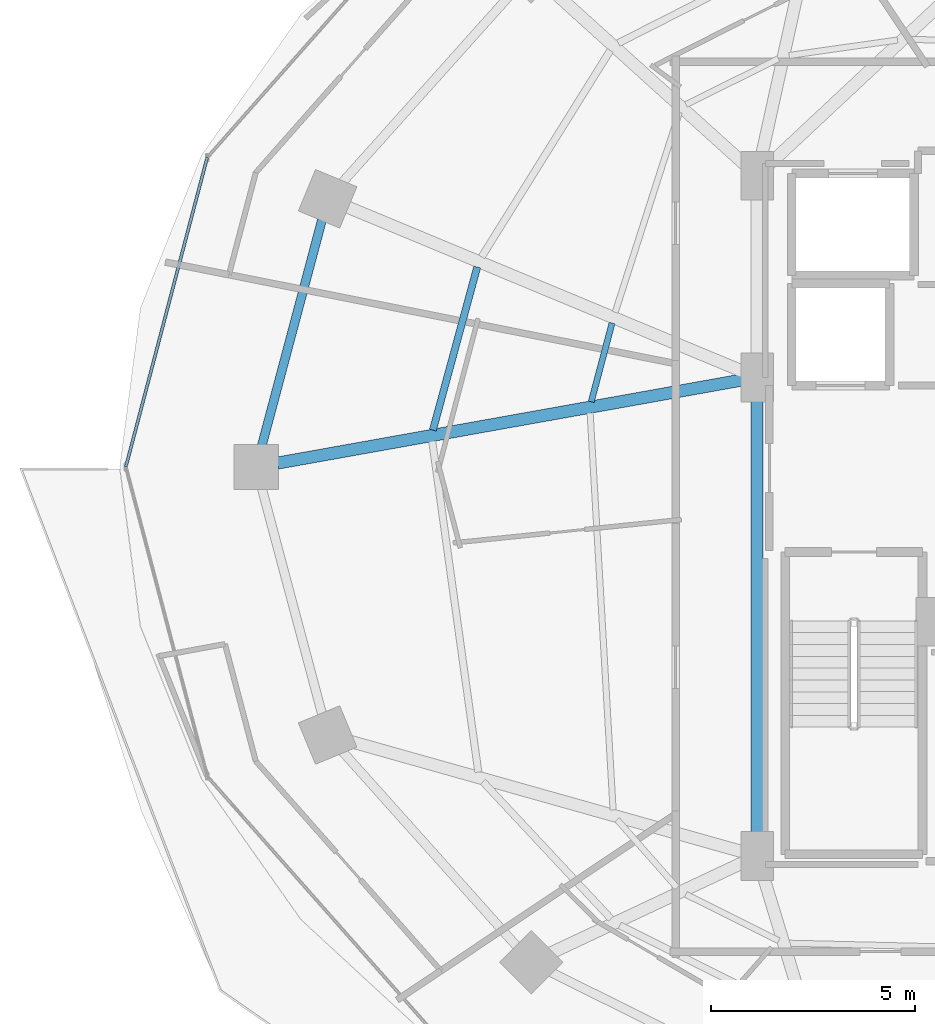
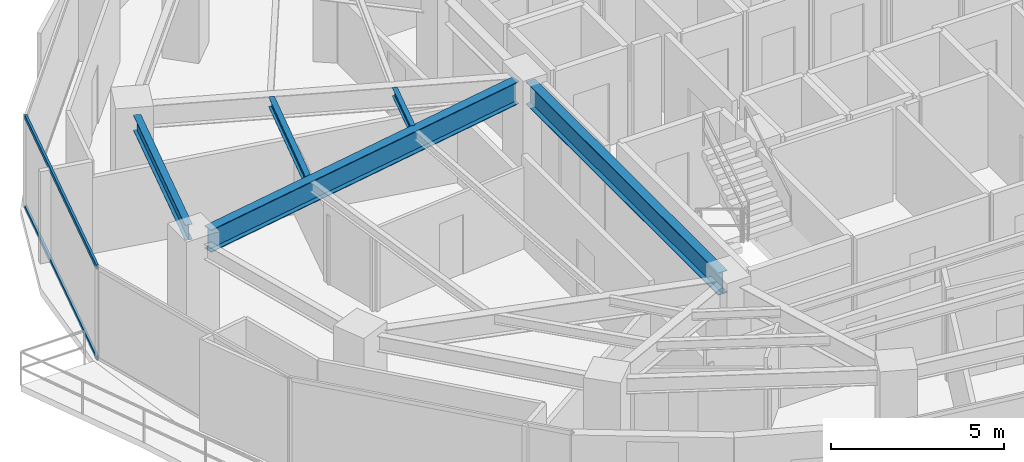
# One storey, part 8 of 29: 5 beams, 2 members, 1 element without a shape of its own.
"""IFC4 building model written with IfcOpenShell, lengths in metres."""

from ifc_helpers import new_model, si_unit, direction, frame, origin, origin_2d, place, context, subcontext, project, spatial, hollow_rectangle, i_section, extrude, material, material_profile, profile_set, type_object, element, aggregate, save


model = new_model("IFC4")

# Units and contexts
model_context = context("Model", 3, precision=1e-05, world=origin(), true_north=direction((0.0, 1.0)))
body_context = subcontext(model_context, "Body", "Model", "MODEL_VIEW")
ifc_project = project(units=[si_unit("LENGTHUNIT", "METRE"), si_unit("AREAUNIT", "SQUARE_METRE"), si_unit("VOLUMEUNIT", "CUBIC_METRE"), si_unit("PLANEANGLEUNIT", "RADIAN"), si_unit("MASSUNIT", "GRAM", prefix="KILO")], contexts=[model_context])

# Site, building, storey
site_placement = place(None, origin())
site = spatial("IfcSite", under=ifc_project, at=site_placement, CompositionType="ELEMENT")
building_placement = place(site_placement, origin())
building = spatial("IfcBuilding", under=site, at=building_placement, Name="Vorneva Point Tower", CompositionType="ELEMENT")
storey_placement = place(building_placement, frame((0.0, 0.0, 82.300048828125)))
storey = spatial("IfcBuildingStorey", under=building, at=storey_placement, Name="L21", CompositionType="ELEMENT", Elevation=82.300048828125)

# Beams
ifc_material_1 = material(Name="Steel S355", Category="steel")
ifc_material_profile_1 = material_profile(ifc_material_1, i_section(OverallWidth=0.300048828125, OverallDepth=0.7880859375, WebThickness=0.014404296875, FlangeThickness=0.02197265625, at=origin_2d()), Name="80Sh1")
ifc_profile_set_1 = profile_set([ifc_material_profile_1], Name="Steel S355")
beam_type_1 = type_object("IfcBeamType", Name="BM-GRD-80Sh1", PredefinedType="USERDEFINED", material=ifc_profile_set_1)
beam_1_placement = place(storey_placement, frame((15.4794921875, 26.0947265625, 2.845947265625), z_axis=(0.984378310682, 0.176066298476, 0.0), x_axis=(-0.176066298476, 0.984378310682, 0.0)))
element("IfcBeam", 1, at=beam_1_placement, inside=storey, type_object=beam_type_1, Name="L21 Radial Primary Girder 09", ObjectType="GIRDER", PredefinedType="USERDEFINED", context=body_context, shape_type="SweptSolid", body=[
    extrude(i_section(OverallWidth=0.300048828125, OverallDepth=0.7880859375, WebThickness=0.014404296875, FlangeThickness=0.02197265625, at=origin_2d()), origin(), (0.0, 0.0, 1.0), 11.6171875),
])
beam_2_placement = place(storey_placement, frame((27.25, 16.77001953125, 2.845947265625), z_axis=(0.0, 1.0, 0.0), x_axis=(-1.0, 0.0, 0.0)))
element("IfcBeam", 2, at=beam_2_placement, inside=storey, type_object=beam_type_1, Name="L21 Core Tie Girder CT1", ObjectType="GIRDER", PredefinedType="USERDEFINED", context=body_context, shape_type="SweptSolid", body=[
    extrude(i_section(OverallWidth=0.300048828125, OverallDepth=0.7880859375, WebThickness=0.014404296875, FlangeThickness=0.02197265625, at=origin_2d()), origin(), (0.0, 0.0, 1.0), 11.10986328125),
])
ifc_material_profile_2 = material_profile(ifc_material_1, i_section(OverallWidth=0.14892578125, OverallDepth=0.298095703125, WebThickness=0.005615234375, FlangeThickness=0.008056640625, at=origin_2d()), Name="30B1")
ifc_profile_set_2 = profile_set([ifc_material_profile_2], Name="Steel S355")
beam_type_2 = type_object("IfcBeamType", Name="BM-JST-30B1", PredefinedType="JOIST", material=ifc_profile_set_2)
beam_3_placement = place(storey_placement, frame((23.688232421875, 29.531982421875, 3.091064453125), z_axis=(-0.255724804331, -0.966749618283, 0.0), x_axis=(0.966749618283, -0.255724804331, 0.0)))
element("IfcBeam", 3, at=beam_3_placement, inside=storey, type_object=beam_type_2, Name="L21 Secondary Floor Beam 2.08", PredefinedType="JOIST", context=body_context, shape_type="SweptSolid", body=[
    extrude(i_section(OverallWidth=0.14892578125, OverallDepth=0.298095703125, WebThickness=0.005615234375, FlangeThickness=0.008056640625, at=origin_2d()), origin(), (0.0, 0.0, 1.0), 2.0),
])
ifc_material_profile_3 = material_profile(ifc_material_1, i_section(OverallWidth=0.174072265625, OverallDepth=0.345947265625, WebThickness=0.006103515625, FlangeThickness=0.009033203125, at=origin_2d()), Name="35B1")
ifc_profile_set_3 = profile_set([ifc_material_profile_3], Name="Steel S355")
beam_type_3 = type_object("IfcBeamType", Name="BM-SEC-35B1", PredefinedType="BEAM", material=ifc_profile_set_3)
beam_4_placement = place(storey_placement, frame((20.377685546875, 30.90771484375, 3.06689453125), z_axis=(-0.262196401448, -0.96501453205, 0.0), x_axis=(0.96501453205, -0.262196401448, 0.0)))
element("IfcBeam", 4, at=beam_4_placement, inside=storey, type_object=beam_type_3, Name="L21 Secondary Floor Beam 1.08", PredefinedType="BEAM", context=body_context, shape_type="SweptSolid", body=[
    extrude(i_section(OverallWidth=0.174072265625, OverallDepth=0.345947265625, WebThickness=0.006103515625, FlangeThickness=0.009033203125, at=origin_2d()), origin(), (0.0, 0.0, 1.0), 4.150146484375),
])
ifc_material_profile_4 = material_profile(ifc_material_1, i_section(OverallWidth=0.219970703125, OverallDepth=0.54296875, WebThickness=0.009521484375, FlangeThickness=0.013427734375, at=origin_2d()), Name="55B1")
ifc_profile_set_4 = profile_set([ifc_material_profile_4], Name="Steel S355")
beam_type_4 = type_object("IfcBeamType", Name="BM-SPN-55B1", PredefinedType="SPANDREL", material=ifc_profile_set_4)
beam_5_placement = place(storey_placement, frame((16.56689453125, 32.065185546875, 2.968505859375), z_axis=(-0.257572674071, -0.966258928845, 0.0), x_axis=(0.966258928845, -0.257572674071, 0.0)))
element("IfcBeam", 5, at=beam_5_placement, inside=storey, type_object=beam_type_4, Name="L21 Perimeter Spandrel Ring Beam 08", PredefinedType="SPANDREL", context=body_context, shape_type="SweptSolid", body=[
    extrude(i_section(OverallWidth=0.219970703125, OverallDepth=0.54296875, WebThickness=0.009521484375, FlangeThickness=0.013427734375, at=origin_2d()), origin(), (0.0, 0.0, 1.0), 5.7421875),
])

# Curtain wall, members
ifc_material_2 = material(Name="Pale anodised aluminium", Category="aluminium")
curtain_wall_type = type_object("IfcCurtainWallType", Name="CW-HTL-SYS", PredefinedType="NOTDEFINED", material=ifc_material_2)
curtain_wall_placement = place(storey_placement, origin())
curtain_wall = element("IfcCurtainWall", 6, at=curtain_wall_placement, inside=storey, type_object=curtain_wall_type, Name="L21 Unitised Curtain Wall CW-L21-R02", PredefinedType="NOTDEFINED")
ifc_material_profile_5 = material_profile(ifc_material_2, hollow_rectangle(XDim=0.074951171875, YDim=0.14990234375, WallThickness=0.00390625, at=origin_2d()), Name="AL-TRN 150x75x4")
ifc_profile_set_5 = profile_set([ifc_material_profile_5], Name="Pale anodised aluminium")
member_type = type_object("IfcMemberType", Name="CW-TRN-150", PredefinedType="USERDEFINED", material=ifc_profile_set_5)
member_1_placement = place(storey_placement, frame((13.748291015625, 33.59619140625, 0.02001953125), z_axis=(-0.254409150465, -0.967096677773, 0.0), x_axis=(0.967096677773, -0.254409150465, 0.0)))
member_1 = element("IfcMember", 7, at=member_1_placement, type_object=member_type, Name="CW-L21-R02 Transom 02.1", ObjectType="TRANSOM", PredefinedType="USERDEFINED", context=body_context, shape_type="SweptSolid", body=[
    extrude(hollow_rectangle(XDim=0.074951171875, YDim=0.14990234375, WallThickness=0.00390625, at=origin_2d()), origin(), (0.0, 0.0, 1.0), 7.854736328125),
])
member_2_placement = place(storey_placement, frame((13.748291015625, 33.59619140625, 3.219970703125), z_axis=(-0.254409150465, -0.967096677773, 0.0), x_axis=(0.967096677773, -0.254409150465, 0.0)))
member_2 = element("IfcMember", 8, at=member_2_placement, type_object=member_type, Name="CW-L21-R02 Transom 02.2", ObjectType="TRANSOM", PredefinedType="USERDEFINED", context=body_context, shape_type="SweptSolid", body=[
    extrude(hollow_rectangle(XDim=0.074951171875, YDim=0.14990234375, WallThickness=0.00390625, at=origin_2d()), origin(), (0.0, 0.0, 1.0), 7.854736328125),
])
aggregate(curtain_wall, [member_1, member_2])

save(model, "model.ifc")
